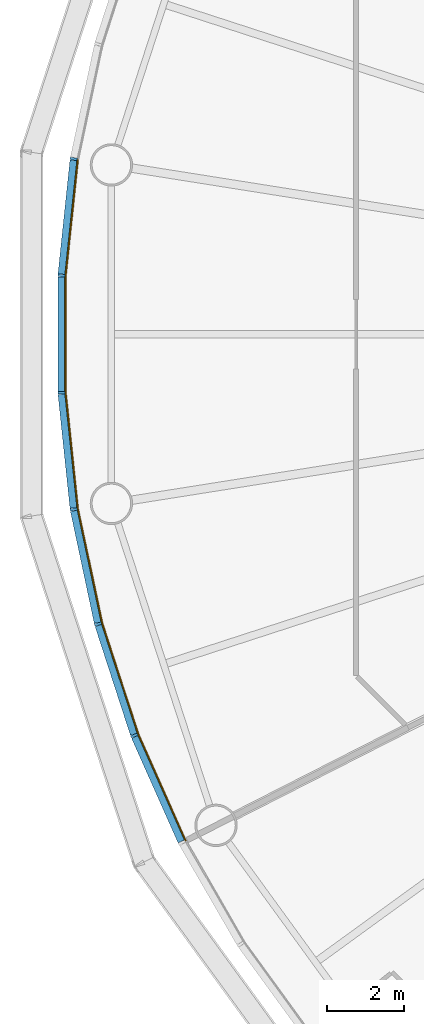
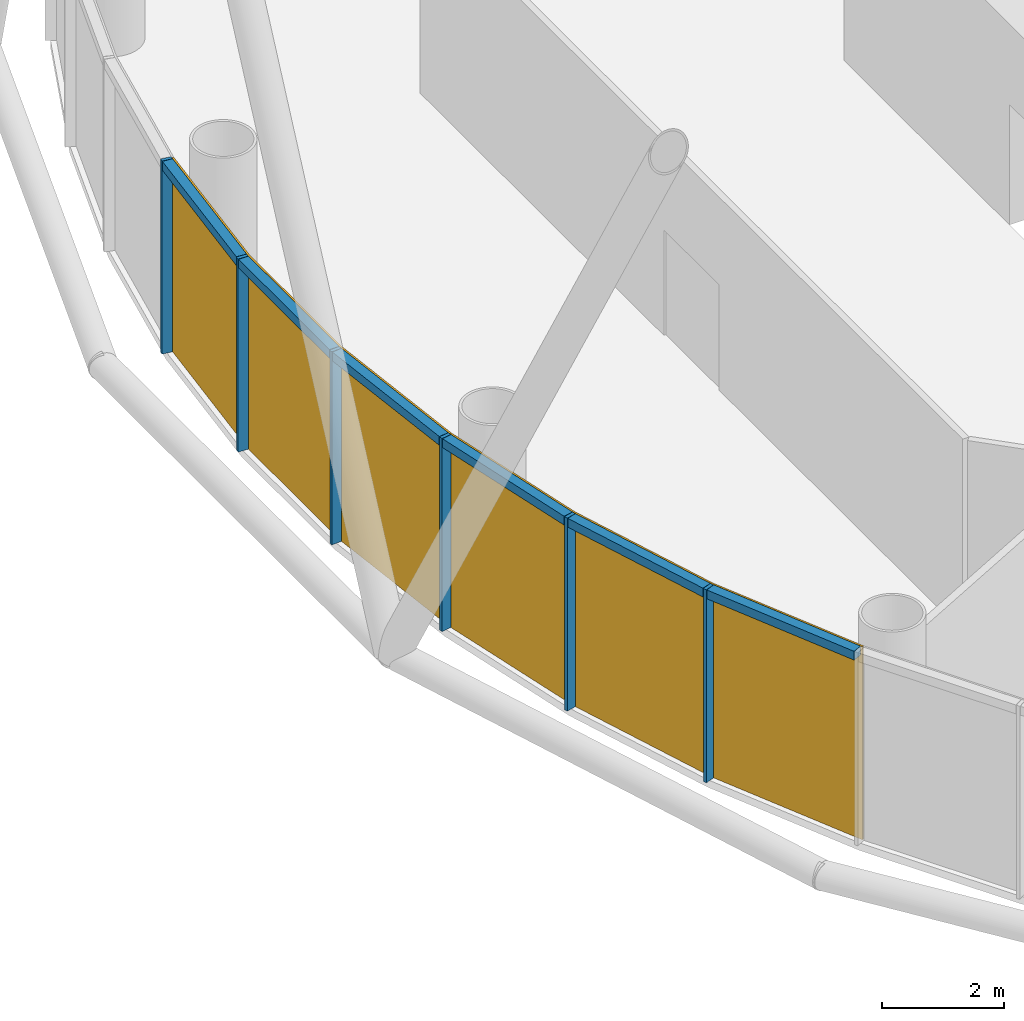
# One storey, part 8 of 13: 12 members, 2 curtain walls.
"""IFC4 building model written with IfcOpenShell, lengths in metres."""

import ifcopenshell
import ifcopenshell.guid

model = None  # the IFC model being written
_history = None  # IfcOwnerHistory: only IFC2X3 demands one
_inside = {}  # id of a spatial element -> (the spatial element, [elements in it])
_under = {}  # id of a project, library or spatial element -> (it, [spatial elements below it])
_declared = {}  # id of a project -> (the project, [libraries it declares])
_typed = {}  # id of a type object -> (the type object, [elements of that type])
_made_of = {}  # id of a material, layer set ... -> (it, [elements and type objects made of it])


def new_model(schema):
    """Start an empty IFC model of exactly this schema.

    Asked for "IFC4X3", IfcOpenShell would pick the latest addendum, in which some entities
    have other attributes; the version numbers below select the first issue.
    IFC2X3 requires an IfcOwnerHistory on every rooted entity: one is made here for all.
    """
    global model, _history
    if schema == "IFC4X3":
        model = ifcopenshell.file(schema_version=(4, 3, 0, 0))
    else:
        model = ifcopenshell.file(schema=schema)
    _inside.clear()
    _under.clear()
    _declared.clear()
    _typed.clear()
    _made_of.clear()
    _history = None
    if model.schema == "IFC2X3":
        org = make("IfcOrganization", Name="unknown")
        user = make(
            "IfcPersonAndOrganization",
            ThePerson=make("IfcPerson", FamilyName="unknown"),
            TheOrganization=org,
        )
        app = make(
            "IfcApplication",
            ApplicationDeveloper=org,
            Version="unknown",
            ApplicationFullName="unknown",
            ApplicationIdentifier="unknown",
        )
        _history = make(
            "IfcOwnerHistory",
            OwningUser=user,
            OwningApplication=app,
            ChangeAction="ADDED",
            CreationDate=0,
        )
    return model


def make(cls, **values):
    """One entity of the class cls with the attributes given. An attribute that is None is left unset."""
    return model.create_entity(
        cls, **{name: value for name, value in values.items() if value is not None}
    )


def rooted(cls, **values):
    """An entity with a GlobalId (a new one), such as an element, a storey or a relation."""
    return make(cls, GlobalId=ifcopenshell.guid.new(), OwnerHistory=_history, **values)


def si_unit(unit_type, name, prefix=None):
    """IfcSIUnit, for example si_unit("LENGTHUNIT", "METRE", prefix="MILLI")."""
    return make("IfcSIUnit", UnitType=unit_type, Prefix=prefix, Name=name)


def assignment(units):
    """IfcUnitAssignment: the units of a project."""
    return None if units is None else make("IfcUnitAssignment", Units=units)


def point(xyz):
    """IfcCartesianPoint."""
    return None if xyz is None else make("IfcCartesianPoint", Coordinates=xyz)


def direction(xyz):
    """IfcDirection."""
    return None if xyz is None else make("IfcDirection", DirectionRatios=xyz)


def frame(location, z_axis=None, x_axis=None):
    """IfcAxis2Placement3D, a coordinate frame: its origin and axes. An axis left out is left unset."""
    return make(
        "IfcAxis2Placement3D",
        Location=point(location),
        Axis=direction(z_axis),
        RefDirection=direction(x_axis),
    )


def frame_2d(location, x_axis=None):
    """IfcAxis2Placement2D, a coordinate frame in the plane: its origin and x axis."""
    return make(
        "IfcAxis2Placement2D", Location=point(location), RefDirection=direction(x_axis)
    )


def origin():
    """The frame at (0, 0, 0) with its axes left unset."""
    return frame((0.0, 0.0, 0.0))


def origin_2d():
    """The frame at (0, 0) in the plane with its x axis left unset."""
    return frame_2d((0.0, 0.0))


def place(relative_to, where):
    """IfcLocalPlacement: puts the frame where relative to a parent placement (None: the world)."""
    return make(
        "IfcLocalPlacement", PlacementRelTo=relative_to, RelativePlacement=where
    )


def context(
    kind, dimensions, precision=None, world=None, true_north=None, identifier=None
):
    """IfcGeometricRepresentationContext, for example the 3D "Model" context."""
    return make(
        "IfcGeometricRepresentationContext",
        ContextIdentifier=identifier,
        ContextType=kind,
        CoordinateSpaceDimension=dimensions,
        Precision=precision,
        WorldCoordinateSystem=world,
        TrueNorth=true_north,
    )


def subcontext(parent, identifier, kind, view, scale=None):
    """IfcGeometricRepresentationSubContext, for example "Body" below "Model"."""
    return make(
        "IfcGeometricRepresentationSubContext",
        ContextIdentifier=identifier,
        ContextType=kind,
        ParentContext=parent,
        TargetScale=scale,
        TargetView=view,
    )


def project(units=None, contexts=None):
    """IfcProject with its units and contexts."""
    return rooted(
        "IfcProject",
        Name="project",
        RepresentationContexts=contexts,
        UnitsInContext=assignment(units),
    )


def spatial(cls, under=None, at=None, **own):
    """A site, building, storey or space (cls), placed at a placement, below another one or the project."""
    s = rooted(cls, ObjectPlacement=at, **own)
    if under is not None:
        _under.setdefault(under.id(), (under, []))[1].append(s)
    return s


def polyline(points):
    """IfcPolyline through the points."""
    return make("IfcPolyline", Points=[point(p) for p in points])


def profile(cls, at=None, kind="AREA", **sizes):
    """A parametric profile (cls). Its sizes go by their IFC names, for example OverallWidth=200.0."""
    return make(cls, ProfileType=kind, Position=at, **sizes)


def rectangle(**sizes):
    """IfcRectangleProfileDef."""
    return profile("IfcRectangleProfileDef", **sizes)


def outline(outer, holes=None, kind="AREA"):
    """IfcArbitraryClosedProfileDef: a profile drawn as a closed curve; with holes, ...WithVoids."""
    if holes is None:
        return make("IfcArbitraryClosedProfileDef", ProfileType=kind, OuterCurve=outer)
    return make(
        "IfcArbitraryProfileDefWithVoids",
        ProfileType=kind,
        OuterCurve=outer,
        InnerCurves=holes,
    )


def extrude(swept, where, along, depth):
    """IfcExtrudedAreaSolid: the profile swept, set in the frame where, extruded along a direction by depth."""
    return make(
        "IfcExtrudedAreaSolid",
        SweptArea=swept,
        Position=where,
        ExtrudedDirection=direction(along),
        Depth=depth,
    )


def shape(context_of_items, identifier, shape_type, items):
    """IfcShapeRepresentation: the items that make up one representation, for example the "Body"."""
    return make(
        "IfcShapeRepresentation",
        ContextOfItems=context_of_items,
        RepresentationIdentifier=identifier,
        RepresentationType=shape_type,
        Items=items,
    )


def material(Name=None, Category=None):
    """IfcMaterial."""
    return make("IfcMaterial", Name=Name, Category=Category)


def layer(
    of_material, thickness, ventilated=None, Name=None, Category=None, Priority=None
):
    """IfcMaterialLayer: one layer of a wall or slab, of a material (None: an air gap)."""
    return make(
        "IfcMaterialLayer",
        Material=of_material,
        LayerThickness=thickness,
        IsVentilated=ventilated,
        Name=Name,
        Category=Category,
        Priority=Priority,
    )


def layer_set(layers, Name=None):
    """IfcMaterialLayerSet."""
    return make("IfcMaterialLayerSet", MaterialLayers=layers, LayerSetName=Name)


def material_profile(
    of_material, cross_section, Name=None, Category=None, Priority=None
):
    """IfcMaterialProfile: a cross section and its material."""
    return make(
        "IfcMaterialProfile",
        Name=Name,
        Material=of_material,
        Profile=cross_section,
        Priority=Priority,
        Category=Category,
    )


def profile_set(profiles, Name=None, composite=None):
    """IfcMaterialProfileSet."""
    return make(
        "IfcMaterialProfileSet",
        Name=Name,
        MaterialProfiles=profiles,
        CompositeProfile=composite,
    )


def made_of(thing, what):
    """Note that an element or type object is made of a material, layer set ...; save() writes the relation."""
    if what is not None:
        _made_of.setdefault(what.id(), (what, []))[1].append(thing)
    return thing


def type_object(cls, material=None, **own):
    """A type object (cls), such as IfcWallType, which elements share."""
    return made_of(rooted(cls, **own), material)


def element(
    cls,
    number,
    at=None,
    inside=None,
    cuts=None,
    type_object=None,
    material=None,
    context=None,
    identifier="Body",
    shape_type=None,
    held_by="IfcProductDefinitionShape",
    body=None,
    shapes=None,
    **own,
):
    """One element of the class cls, such as IfcWall. Its Tag is "e" and its number.

    at: its placement. inside: the storey or other place that contains it. cuts: it is an
    opening in that element (IfcRelVoidsElement). A single representation is given by context,
    identifier, shape_type and body (its items); several are given by shapes. held_by: the class
    of the entity that holds the representations. save() writes the other relations.
    """
    e = rooted(cls, Tag="e%d" % number, ObjectPlacement=at, **own)
    if body is not None:
        shapes = [shape(context, identifier, shape_type, body)]
    if shapes is not None:
        e.Representation = make(held_by, Representations=shapes)
    if inside is not None:
        _inside.setdefault(inside.id(), (inside, []))[1].append(e)
    if cuts is not None:
        rooted(
            "IfcRelVoidsElement", RelatingBuildingElement=cuts, RelatedOpeningElement=e
        )
    if type_object is not None:
        _typed.setdefault(type_object.id(), (type_object, []))[1].append(e)
    return made_of(e, material)


def aggregate(whole, parts):
    """IfcRelAggregates: a whole, such as a stair, and the parts it consists of."""
    return rooted("IfcRelAggregates", RelatingObject=whole, RelatedObjects=parts)


def save(model, path):
    """Write the relations noted so far, then the file.

    IfcRelAggregates (storeys below a building ...), IfcRelContainedInSpatialStructure (elements
    in a storey), IfcRelDefinesByType, IfcRelAssociatesMaterial and IfcRelDeclares: one each for
    every whole, place, type object, material and project.
    """
    for whole, parts in _under.values():
        aggregate(whole, parts)
    for where, things in _inside.values():
        rooted(
            "IfcRelContainedInSpatialStructure",
            RelatedElements=things,
            RelatingStructure=where,
        )
    for kind, things in _typed.values():
        rooted("IfcRelDefinesByType", RelatedObjects=things, RelatingType=kind)
    for what, things in _made_of.values():
        rooted("IfcRelAssociatesMaterial", RelatedObjects=things, RelatingMaterial=what)
    for by, libraries in _declared.values():
        rooted("IfcRelDeclares", RelatingContext=by, RelatedDefinitions=libraries)
    model.write(path)


model = new_model("IFC4")

# Units and contexts
model_context = context("Model", 3, precision=1e-05, world=origin(), true_north=direction((0.0, 1.0)))
body_context = subcontext(model_context, "Body", "Model", "MODEL_VIEW")
ifc_project = project(units=[si_unit("LENGTHUNIT", "METRE"), si_unit("AREAUNIT", "SQUARE_METRE"), si_unit("VOLUMEUNIT", "CUBIC_METRE"), si_unit("PLANEANGLEUNIT", "RADIAN"), si_unit("MASSUNIT", "GRAM", prefix="KILO")], contexts=[model_context])

# Member
ifc_material_1 = material(Name="Anodised aluminium", Category="aluminium")
ifc_material_profile_1 = material_profile(ifc_material_1, rectangle(XDim=0.06494140625, YDim=0.18505859375, at=origin_2d()), Name="Mullion 65 x 185 mm anodised aluminium")
ifc_profile_set_1 = profile_set([ifc_material_profile_1], Name="Anodised aluminium")
member_type_1 = type_object("IfcMemberType", Name="Mullion 65 x 185 mm anodised aluminium", PredefinedType="MULLION", material=ifc_profile_set_1)
site_placement = place(None, origin())
building_placement = place(site_placement, origin())
storey_placement = place(building_placement, frame((0.0, 0.0, 180.0)))
member_1_placement = place(storey_placement, frame((61.265625, 84.551025390625, 0.0), z_axis=(0.0, 0.0, 1.0), x_axis=(-0.15643446504, -0.987688340595, 0.0)))
member_1 = element("IfcMember", 1, at=member_1_placement, type_object=member_type_1, Name="MULLION L41-27", PredefinedType="MULLION", context=body_context, shape_type="SweptSolid", body=[
    extrude(rectangle(XDim=0.06494140625, YDim=0.18505859375, at=origin_2d()), origin(), (0.0, 0.0, 1.0), 3.85009765625),
])

member_2_placement = place(storey_placement, frame((60.947265625, 81.522705078125, 0.0), z_axis=(0.0, 0.0, 1.0), x_axis=(-0.052335956243, -0.998629534755, 0.0)))
member_2 = element("IfcMember", 2, at=member_2_placement, type_object=member_type_1, Name="MULLION L41-28", PredefinedType="MULLION", context=body_context, shape_type="SweptSolid", body=[
    extrude(rectangle(XDim=0.06494140625, YDim=0.18505859375, at=origin_2d()), origin(), (0.0, 0.0, 1.0), 3.85009765625),
])

member_3_placement = place(storey_placement, frame((60.947265625, 78.477294921875, 0.0), z_axis=(0.0, 0.0, 1.0), x_axis=(0.052335956243, -0.998629534755, 0.0)))
member_3 = element("IfcMember", 3, at=member_3_placement, type_object=member_type_1, Name="MULLION L41-29", PredefinedType="MULLION", context=body_context, shape_type="SweptSolid", body=[
    extrude(rectangle(XDim=0.06494140625, YDim=0.18505859375, at=origin_2d()), origin(), (0.0, 0.0, 1.0), 3.85009765625),
])

member_4_placement = place(storey_placement, frame((61.265625, 75.448974609375, 0.0), z_axis=(0.0, 0.0, 1.0), x_axis=(0.15643446504, -0.987688340595, 0.0)))
member_4 = element("IfcMember", 4, at=member_4_placement, type_object=member_type_1, Name="MULLION L41-30", PredefinedType="MULLION", context=body_context, shape_type="SweptSolid", body=[
    extrude(rectangle(XDim=0.06494140625, YDim=0.18505859375, at=origin_2d()), origin(), (0.0, 0.0, 1.0), 3.85009765625),
])

member_5_placement = place(storey_placement, frame((61.898681640625, 72.47021484375, 0.0), z_axis=(0.0, 0.0, 1.0), x_axis=(0.258819045103, -0.965925826289, 0.0)))
member_5 = element("IfcMember", 5, at=member_5_placement, type_object=member_type_1, Name="MULLION L41-31", PredefinedType="MULLION", context=body_context, shape_type="SweptSolid", body=[
    extrude(rectangle(XDim=0.06494140625, YDim=0.18505859375, at=origin_2d()), origin(), (0.0, 0.0, 1.0), 3.85009765625),
])

member_6_placement = place(storey_placement, frame((62.83984375, 69.57421875, 0.0), z_axis=(0.0, 0.0, 1.0), x_axis=(0.358367949545, -0.933580426497, 0.0)))
member_6 = element("IfcMember", 6, at=member_6_placement, type_object=member_type_1, Name="MULLION L41-32", PredefinedType="MULLION", context=body_context, shape_type="SweptSolid", body=[
    extrude(rectangle(XDim=0.06494140625, YDim=0.18505859375, at=origin_2d()), origin(), (0.0, 0.0, 1.0), 3.85009765625),
])

ifc_material_2 = material(Name="Anodised aluminium", Category="aluminium")
ifc_material_profile_2 = material_profile(ifc_material_2, rectangle(XDim=0.18505859375, YDim=0.175048828125, at=origin_2d()), Name="Transom 175 x 185 mm anodised aluminium")
ifc_profile_set_2 = profile_set([ifc_material_profile_2], Name="Anodised aluminium")
member_type_2 = type_object("IfcMemberType", Name="Transom 175 x 185 mm anodised aluminium", PredefinedType="USERDEFINED", material=ifc_profile_set_2)
member_7_placement = place(storey_placement, frame((61.26171875, 84.513916015625, 3.762451171875), z_axis=(-0.104547872381, -0.994519855197, 0.0), x_axis=(0.994519855197, -0.104547872381, 0.0)))
member_7 = element("IfcMember", 7, at=member_7_placement, type_object=member_type_2, Name="TRANSOM L41-27", ObjectType="TRANSOM", PredefinedType="USERDEFINED", context=body_context, shape_type="SweptSolid", body=[
    extrude(rectangle(XDim=0.18505859375, YDim=0.175048828125, at=origin_2d()), origin(), (0.0, 0.0, 1.0), 2.970458984375),
])

member_8_placement = place(storey_placement, frame((60.947265625, 81.4853515625, 3.762451171875), z_axis=(0.0, -1.0, 0.0), x_axis=(1.0, 0.0, 0.0)))
member_8 = element("IfcMember", 8, at=member_8_placement, type_object=member_type_2, Name="TRANSOM L41-28", ObjectType="TRANSOM", PredefinedType="USERDEFINED", context=body_context, shape_type="SweptSolid", body=[
    extrude(rectangle(XDim=0.18505859375, YDim=0.175048828125, at=origin_2d()), origin(), (0.0, 0.0, 1.0), 2.970703125),
])

member_9_placement = place(storey_placement, frame((60.951171875, 78.440185546875, 3.762451171875), z_axis=(0.104547872381, -0.994519855197, 0.0), x_axis=(0.994519855197, 0.104547872381, 0.0)))
member_9 = element("IfcMember", 9, at=member_9_placement, type_object=member_type_2, Name="TRANSOM L41-29", ObjectType="TRANSOM", PredefinedType="USERDEFINED", context=body_context, shape_type="SweptSolid", body=[
    extrude(rectangle(XDim=0.18505859375, YDim=0.175048828125, at=origin_2d()), origin(), (0.0, 0.0, 1.0), 2.970458984375),
])

member_10_placement = place(storey_placement, frame((61.2734375, 75.412353515625, 3.762451171875), z_axis=(0.207861704825, -0.97815822425, 0.0), x_axis=(0.97815822425, 0.207861704825, 0.0)))
member_10 = element("IfcMember", 10, at=member_10_placement, type_object=member_type_2, Name="TRANSOM L41-30", ObjectType="TRANSOM", PredefinedType="USERDEFINED", context=body_context, shape_type="SweptSolid", body=[
    extrude(rectangle(XDim=0.18505859375, YDim=0.175048828125, at=origin_2d()), origin(), (0.0, 0.0, 1.0), 2.970458984375),
])

member_11_placement = place(storey_placement, frame((61.91015625, 72.434814453125, 3.762451171875), z_axis=(0.30901917063, -0.951055809184, 0.0), x_axis=(0.951055809184, 0.30901917063, 0.0)))
member_11 = element("IfcMember", 11, at=member_11_placement, type_object=member_type_2, Name="TRANSOM L41-31", ObjectType="TRANSOM", PredefinedType="USERDEFINED", context=body_context, shape_type="SweptSolid", body=[
    extrude(rectangle(XDim=0.18505859375, YDim=0.175048828125, at=origin_2d()), origin(), (0.0, 0.0, 1.0), 2.970703125),
])

member_12_placement = place(storey_placement, frame((62.85498046875, 69.5400390625, 3.762451171875), z_axis=(0.406687471156, -0.913567348806, 0.0), x_axis=(0.913567348806, 0.406687471156, 0.0)))
member_12 = element("IfcMember", 12, at=member_12_placement, type_object=member_type_2, Name="TRANSOM L41-32", ObjectType="TRANSOM", PredefinedType="USERDEFINED", context=body_context, shape_type="SweptSolid", body=[
    extrude(rectangle(XDim=0.18505859375, YDim=0.175048828125, at=origin_2d()), origin(), (0.0, 0.0, 1.0), 2.970458984375),
])

# Site, building, storey
site = spatial("IfcSite", under=ifc_project, at=site_placement, CompositionType="ELEMENT")
building = spatial("IfcBuilding", under=site, at=building_placement, Name="Entoto Ring Tower", CompositionType="ELEMENT")
storey = spatial("IfcBuildingStorey", under=building, at=storey_placement, Name="L41", CompositionType="ELEMENT", Elevation=180.0)

# Curtain wall
ifc_material_3 = material(Name="Clear low-iron glass", Category="glass")
ifc_layer = layer(ifc_material_3, 0.033935546875)
ifc_layer_set = layer_set([ifc_layer], Name="Clear low-iron glass")
curtain_wall_type = type_object("IfcCurtainWallType", Name="Curtain wall system CW3 glazing 34 mm", PredefinedType="NOTDEFINED", material=ifc_layer_set)
curtain_wall_1_placement = place(storey_placement, origin())
curtain_wall_1 = element("IfcCurtainWall", 13, at=curtain_wall_1_placement, inside=storey, type_object=curtain_wall_type, Name="CW3 L41-10", PredefinedType="NOTDEFINED", context=body_context, shape_type="SweptSolid", body=[
    extrude(outline(polyline([(61.35693359375, 84.53662109375), (61.039794921875, 81.517822265625), (61.039794921875, 78.482177734375), (61.35693359375, 75.46337890625), (61.390625, 75.46875), (61.07373046875, 78.484130859375), (61.07373046875, 81.515869140625), (61.390625, 84.53125), (61.35693359375, 84.53662109375)])), origin(), (0.0, 0.0, 1.0), 3.85009765625),
])

aggregate(curtain_wall_1, [member_1, member_2, member_3, member_7, member_8, member_9])

curtain_wall_2_placement = place(storey_placement, origin())
curtain_wall_2 = element("IfcCurtainWall", 14, at=curtain_wall_2_placement, inside=storey, type_object=curtain_wall_type, Name="CW3 L41-11", PredefinedType="NOTDEFINED", context=body_context, shape_type="SweptSolid", body=[
    extrude(outline(polyline([(61.35693359375, 75.46337890625), (61.988037109375, 72.494140625), (62.92626953125, 69.607421875), (64.160888671875, 66.834228515625), (64.191162109375, 66.849853515625), (62.9580078125, 69.61962890625), (62.02099609375, 72.503173828125), (61.390625, 75.46875), (61.35693359375, 75.46337890625)])), origin(), (0.0, 0.0, 1.0), 3.85009765625),
])

aggregate(curtain_wall_2, [member_4, member_5, member_6, member_10, member_11, member_12])

save(model, "model.ifc")
